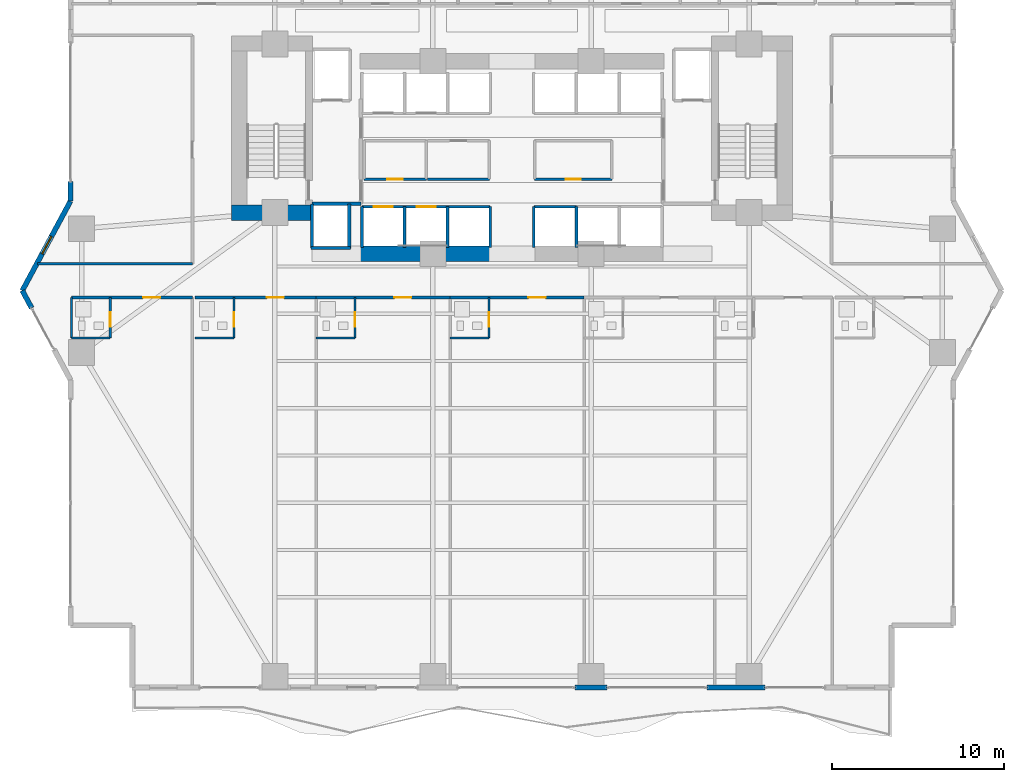
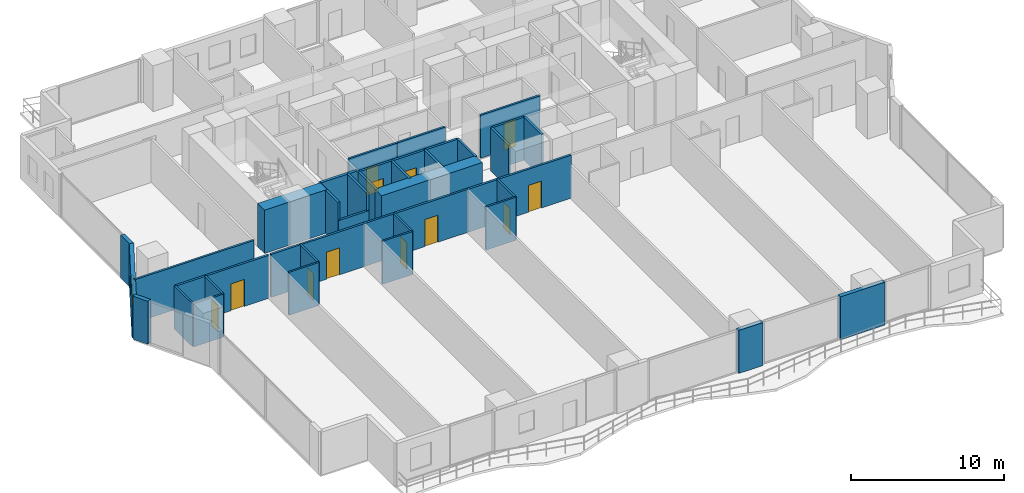
# One storey, part 19 of 28: 38 walls, 12 doors, 1 window, 13 openings.
"""IFC4 building model written with IfcOpenShell, lengths in metres."""

from ifc_helpers import new_model, si_unit, direction, frame, frame_2d, origin, place, context, subcontext, project, spatial, rectangle, extrude, material, layer, layer_set, type_object, element, fill, save


model = new_model("IFC4")

# Units and contexts
model_context = context("Model", 3, precision=1e-05, world=origin(), true_north=direction((0.0, 1.0)))
body_context = subcontext(model_context, "Body", "Model", "MODEL_VIEW")
ifc_project = project(units=[si_unit("LENGTHUNIT", "METRE"), si_unit("AREAUNIT", "SQUARE_METRE"), si_unit("VOLUMEUNIT", "CUBIC_METRE"), si_unit("PLANEANGLEUNIT", "RADIAN"), si_unit("MASSUNIT", "GRAM", prefix="KILO")], contexts=[model_context])

# Site, building, storey
site_placement = place(None, origin())
site = spatial("IfcSite", under=ifc_project, at=site_placement, CompositionType="ELEMENT")
building_placement = place(site_placement, origin())
building = spatial("IfcBuilding", under=site, at=building_placement, Name="Zuhayl Quay Hotel", CompositionType="ELEMENT")
storey_placement = place(building_placement, frame((0.0, 0.0, 49.5)))
storey = spatial("IfcBuildingStorey", under=building, at=storey_placement, Name="L11", CompositionType="ELEMENT", Elevation=49.5)

# Walls
ifc_material_1 = material(Name="Concrete C70/85", Category="concrete")
ifc_layer_1 = layer(ifc_material_1, 0.89990234375, Name="Concrete C70/85", Category="concrete")
ifc_layer_set_1 = layer_set([ifc_layer_1], Name="Concrete C70/85")
wall_type_1 = type_object("IfcWallType", Name="WL_CORE_900", PredefinedType="SHEAR", material=ifc_layer_set_1)
wall_1_placement = place(storey_placement, frame((-16.31005859375, 4.52001953125, 0.0), z_axis=(0.0, 0.0, 1.0), x_axis=(1.0, 0.0, 0.0)))
element("IfcWall", 1, at=wall_1_placement, inside=storey, type_object=wall_type_1, Name="L11 Core Shear Wall CW_SW", PredefinedType="SHEAR", context=body_context, shape_type="SweptSolid", body=[
    extrude(rectangle(XDim=4.7099609375, YDim=0.89990234375, at=frame_2d((2.35498046875, 0.0))), origin(), (0.0, 0.0, 1.0), 3.4599609375),
])
wall_2_placement = place(storey_placement, frame((-8.85009765625, 2.14990234375, 0.0), z_axis=(0.0, 0.0, 1.0), x_axis=(1.0, 0.0, 0.0)))
element("IfcWall", 2, at=wall_2_placement, inside=storey, type_object=wall_type_1, Name="L11 Core Shear Wall CW_SC_W", PredefinedType="SHEAR", context=body_context, shape_type="SweptSolid", body=[
    extrude(rectangle(XDim=7.60009765625, YDim=0.89990234375, at=frame_2d((3.800048828125, 0.0))), origin(), (0.0, 0.0, 1.0), 3.429931640625),
])
ifc_material_2 = material(Name="Precast concrete C45/55", Category="concrete")
ifc_layer_2 = layer(ifc_material_2, 0.300048828125, Name="Precast concrete C45/55", Category="concrete")
ifc_layer_set_2 = layer_set([ifc_layer_2], Name="Precast concrete C45/55")
wall_type_2 = type_object("IfcWallType", Name="WL_EXT_300", PredefinedType="STANDARD", material=ifc_layer_set_2)
wall_3_placement = place(storey_placement, frame((-27.954833984375, -1.012451171875, 0.0), z_axis=(0.0, 0.0, 1.0), x_axis=(-0.474099823035, 0.880471099922, 0.0)))
element("IfcWall", 3, at=wall_3_placement, inside=storey, type_object=wall_type_2, Name="L11 Exterior Precast Wall ENV_L11_E03_EW2", PredefinedType="STANDARD", context=body_context, shape_type="SweptSolid", body=[
    extrude(rectangle(XDim=1.14990234375, YDim=0.300048828125, at=frame_2d((0.574951171875, 0.0))), origin(), (0.0, 0.0, 1.0), 3.429931640625),
])

# Wall, opening, window
wall_4_placement = place(storey_placement, frame((-28.5, 0.0, 0.0), z_axis=(0.0, 0.0, 1.0), x_axis=(0.474109683532, 0.880465790352, 0.0)))
wall_4 = element("IfcWall", 4, at=wall_4_placement, inside=storey, type_object=wall_type_2, Name="L11 Exterior Precast Wall ENV_L11_E04_EW1", PredefinedType="STANDARD", context=body_context, shape_type="SweptSolid", body=[
    extrude(rectangle(XDim=5.906005859375, YDim=0.300048828125, at=frame_2d((2.953125, 0.0))), origin(), (0.0, 0.0, 1.0), 3.429931640625),
])
opening_1_placement = place(wall_4_placement, frame((2.43212890625, 0.0, 0.949951171875)))
opening_1 = element("IfcOpeningElement", 5, at=opening_1_placement, cuts=wall_4, Name="Opening W01N", PredefinedType="OPENING", context=body_context, shape_type="SweptSolid", body=[
    extrude(rectangle(XDim=1.14990234375, YDim=1.550048828125, at=frame_2d((0.574951171875, 0.77490234375))), frame((0.0, 0.159912109375, 0.0), z_axis=(0.0, -1.0, 0.0), x_axis=(1.0, 0.0, 0.0)), (0.0, 0.0, 1.0), 0.320068359375),
])
ifc_material_3 = material(Name="Dark Ceramic-Fritted Solar Glass", Category="glass")
window_type = type_object("IfcWindowType", Name="WN_NOTCH_1350", PartitioningType="SINGLE_PANEL", PredefinedType="WINDOW", material=ifc_material_3)
window_placement = place(opening_1_placement, origin())
window = element("IfcWindow", 6, at=window_placement, inside=storey, type_object=window_type, Name="L11 Operable Facade Window 1-1", OverallHeight=1.550048828125, OverallWidth=1.14990234375, PartitioningType="SINGLE_PANEL", PredefinedType="WINDOW", context=body_context, shape_type="SweptSolid", body=[
    extrude(rectangle(XDim=1.14990234375, YDim=1.550048828125, at=frame_2d((0.574951171875, 0.77490234375))), frame((0.0, 0.030029296875, 0.0), z_axis=(0.0, -1.0, 0.0), x_axis=(1.0, 0.0, 0.0)), (0.0, 0.0, 1.0), 0.06005859375),
])
fill(opening_1, window)

# Walls
wall_5_placement = place(storey_placement, frame((-25.699951171875, 5.199951171875, 0.0), z_axis=(0.0, 0.0, 1.0), x_axis=(0.0, 1.0, 0.0)))
element("IfcWall", 7, at=wall_5_placement, inside=storey, type_object=wall_type_2, Name="L11 Exterior Precast Wall ENV_L11_E05_EW1", PredefinedType="STANDARD", context=body_context, shape_type="SweptSolid", body=[
    extrude(rectangle(XDim=1.150146484375, YDim=0.300048828125, at=frame_2d((0.5751953125, 0.0))), origin(), (0.0, 0.0, 1.0), 3.429931640625),
])
wall_6_placement = place(storey_placement, frame((14.719970703125, -23.10009765625, 0.0), z_axis=(0.0, 0.0, 1.0), x_axis=(-1.0, 0.0, 0.0)))
element("IfcWall", 8, at=wall_6_placement, inside=storey, type_object=wall_type_2, Name="L11 Exterior Precast Wall ENV_L11_S_EW2", PredefinedType="STANDARD", context=body_context, shape_type="SweptSolid", body=[
    extrude(rectangle(XDim=3.369873046875, YDim=0.300048828125, at=frame_2d((1.68505859375, 0.0))), origin(), (0.0, 0.0, 1.0), 3.429931640625),
])
wall_7_placement = place(storey_placement, frame((5.52001953125, -23.10009765625, 0.0), z_axis=(0.0, 0.0, 1.0), x_axis=(-1.0, 0.0, 0.0)))
element("IfcWall", 9, at=wall_7_placement, inside=storey, type_object=wall_type_2, Name="L11 Exterior Precast Wall ENV_L11_S_EW3", PredefinedType="STANDARD", context=body_context, shape_type="SweptSolid", body=[
    extrude(rectangle(XDim=1.840087890625, YDim=0.300048828125, at=frame_2d((0.919921875, 0.0))), origin(), (0.0, 0.0, 1.0), 3.429931640625),
])

# Wall, opening, door
ifc_material_4 = material(Name="Acoustic Gypsum Partition STC-58")
ifc_layer_3 = layer(ifc_material_4, 0.14990234375, Name="Acoustic Gypsum Partition STC-58")
ifc_layer_set_3 = layer_set([ifc_layer_3], Name="Acoustic Gypsum Partition STC-58")
wall_type_3 = type_object("IfcWallType", Name="WL_PART_150", PredefinedType="PARTITIONING", material=ifc_layer_set_3)
wall_8_placement = place(storey_placement, frame((-8.610107421875, 6.47998046875, 0.0), z_axis=(0.0, 0.0, 1.0), x_axis=(1.0, 0.0, 0.0)))
wall_8 = element("IfcWall", 10, at=wall_8_placement, inside=storey, type_object=wall_type_3, Name="L11 Partition IW_L11_CORE_SW_S", PredefinedType="PARTITIONING", context=body_context, shape_type="SweptSolid", body=[
    extrude(rectangle(XDim=3.6201171875, YDim=0.14990234375, at=frame_2d((1.81005859375, 0.0))), origin(), (0.0, 0.0, 1.0), 3.429931640625),
])
opening_2_placement = place(wall_8_placement, frame((1.360107421875, 0.0, 0.0)))
opening_2 = element("IfcOpeningElement", 11, at=opening_2_placement, cuts=wall_8, Name="Opening D06", PredefinedType="OPENING", context=body_context, shape_type="SweptSolid", body=[
    extrude(rectangle(XDim=0.89990234375, YDim=2.14990234375, at=frame_2d((0.449951171875, 1.074951171875))), frame((0.0, 0.0849609375, 0.0), z_axis=(0.0, -1.0, 0.0), x_axis=(1.0, 0.0, 0.0)), (0.0, 0.0, 1.0), 0.169921875),
])
ifc_material_5 = material(Name="Steel ASTM A992 Grade 50", Category="steel")
door_type_1 = type_object("IfcDoorType", Name="DR_INT_900", OperationType="NOTDEFINED", PredefinedType="DOOR", material=ifc_material_5)
door_1_placement = place(opening_2_placement, origin())
door_1 = element("IfcDoor", 12, at=door_1_placement, inside=storey, type_object=door_type_1, Name="L11 Floor Switchgear Closet Door", OperationType="SINGLE_SWING_RIGHT", OverallHeight=2.14990234375, OverallWidth=0.89990234375, PredefinedType="DOOR", context=body_context, shape_type="SweptSolid", body=[
    extrude(rectangle(XDim=0.89990234375, YDim=2.14990234375, at=frame_2d((0.449951171875, 1.074951171875))), frame((0.0, 0.02490234375, 0.0), z_axis=(0.0, -1.0, 0.0), x_axis=(1.0, 0.0, 0.0)), (0.0, 0.0, 1.0), 0.050048828125),
])
fill(opening_2, door_1)

wall_9_placement = place(storey_placement, frame((1.320068359375, 6.47998046875, 0.0), z_axis=(0.0, 0.0, 1.0), x_axis=(1.0, 0.0, 0.0)))
wall_9 = element("IfcWall", 13, at=wall_9_placement, inside=storey, type_object=wall_type_3, Name="L11 Partition IW_L11_CORE_PN_S", PredefinedType="PARTITIONING", context=body_context, shape_type="SweptSolid", body=[
    extrude(rectangle(XDim=4.489990234375, YDim=0.14990234375, at=frame_2d((2.2451171875, 0.0))), origin(), (0.0, 0.0, 1.0), 3.429931640625),
])
opening_3_placement = place(wall_9_placement, frame((1.794921875, 0.0, 0.0)))
opening_3 = element("IfcOpeningElement", 14, at=opening_3_placement, cuts=wall_9, Name="Opening D06", PredefinedType="OPENING", context=body_context, shape_type="SweptSolid", body=[
    extrude(rectangle(XDim=0.89990234375, YDim=2.14990234375, at=frame_2d((0.449951171875, 1.074951171875))), frame((0.0, 0.0849609375, 0.0), z_axis=(0.0, -1.0, 0.0), x_axis=(1.0, 0.0, 0.0)), (0.0, 0.0, 1.0), 0.169921875),
])
door_2_placement = place(opening_3_placement, origin())
door_2 = element("IfcDoor", 15, at=door_2_placement, inside=storey, type_object=door_type_1, Name="L11 Core Ice and Pantry Room Door", OperationType="SINGLE_SWING_RIGHT", OverallHeight=2.14990234375, OverallWidth=0.89990234375, PredefinedType="DOOR", context=body_context, shape_type="SweptSolid", body=[
    extrude(rectangle(XDim=0.89990234375, YDim=2.14990234375, at=frame_2d((0.449951171875, 1.074951171875))), frame((0.0, 0.02490234375, 0.0), z_axis=(0.0, -1.0, 0.0), x_axis=(1.0, 0.0, 0.0)), (0.0, 0.0, 1.0), 0.050048828125),
])
fill(opening_3, door_2)

# Walls
wall_10_placement = place(storey_placement, frame((-4.929931640625, 6.47998046875, 0.0), z_axis=(0.0, 0.0, 1.0), x_axis=(1.0, 0.0, 0.0)))
element("IfcWall", 16, at=wall_10_placement, inside=storey, type_object=wall_type_3, Name="L11 Partition IW_L11_CORE_BM_S", PredefinedType="PARTITIONING", context=body_context, shape_type="SweptSolid", body=[
    extrude(rectangle(XDim=3.60986328125, YDim=0.14990234375, at=frame_2d((1.804931640625, 0.0))), origin(), (0.0, 0.0, 1.0), 3.429931640625),
])
wall_11_placement = place(storey_placement, frame((-27.60546875, 1.550048828125, 0.0), z_axis=(0.0, 0.0, 1.0), x_axis=(1.0, 0.0, 0.0)))
element("IfcWall", 17, at=wall_11_placement, inside=storey, type_object=wall_type_3, Name="L11 Partition IW_L11_WPROW_1_S", PredefinedType="PARTITIONING", context=body_context, shape_type="SweptSolid", body=[
    extrude(rectangle(XDim=9.00537109375, YDim=0.14990234375, at=frame_2d((4.502685546875, 0.0))), origin(), (0.0, 0.0, 1.0), 3.429931640625),
])

# Wall, opening, door
ifc_layer_4 = layer(ifc_material_4, 0.159912109375, Name="Acoustic Gypsum Partition STC-58")
ifc_layer_set_4 = layer_set([ifc_layer_4], Name="Acoustic Gypsum Partition STC-58")
wall_type_4 = type_object("IfcWallType", Name="WL_PART_CORR_160", PredefinedType="PARTITIONING", material=ifc_layer_set_4)
wall_12_placement = place(storey_placement, frame((-25.639892578125, -0.39990234375, 0.0), z_axis=(0.0, 0.0, 1.0), x_axis=(1.0, 0.0, 0.0)))
wall_12 = element("IfcWall", 18, at=wall_12_placement, inside=storey, type_object=wall_type_4, Name="L11 Partition IW_L11_SU01A_COR", PredefinedType="PARTITIONING", context=body_context, shape_type="SweptSolid", body=[
    extrude(rectangle(XDim=7.039794921875, YDim=0.159912109375, at=frame_2d((3.52001953125, 0.0))), origin(), (0.0, 0.0, 1.0), 3.429931640625),
])
opening_4_placement = place(wall_12_placement, frame((4.169921875, 0.0, 0.0)))
opening_4 = element("IfcOpeningElement", 19, at=opening_4_placement, cuts=wall_12, Name="Opening D03L", PredefinedType="OPENING", context=body_context, shape_type="SweptSolid", body=[
    extrude(rectangle(XDim=1.0, YDim=2.14990234375, at=frame_2d((0.5, 1.074951171875))), frame((0.0, 0.08984375, 0.0), z_axis=(0.0, -1.0, 0.0), x_axis=(1.0, 0.0, 0.0)), (0.0, 0.0, 1.0), 0.179931640625),
])
ifc_material_6 = material(Name="Solid Walnut Acoustic Fire Door")
door_type_2 = type_object("IfcDoorType", Name="DR_SUITE_1000", OperationType="NOTDEFINED", PredefinedType="DOOR", material=ifc_material_6)
door_3_placement = place(opening_4_placement, origin())
door_3 = element("IfcDoor", 20, at=door_3_placement, inside=storey, type_object=door_type_2, Name="L11 City-View Junior Suite L11-01A Entrance Door", OperationType="SINGLE_SWING_LEFT", OverallHeight=2.14990234375, OverallWidth=1.0, PredefinedType="DOOR", context=body_context, shape_type="SweptSolid", body=[
    extrude(rectangle(XDim=1.0, YDim=2.14990234375, at=frame_2d((0.5, 1.074951171875))), frame((0.0, 0.02490234375, 0.0), z_axis=(0.0, -1.0, 0.0), x_axis=(1.0, 0.0, 0.0)), (0.0, 0.0, 1.0), 0.050048828125),
])
fill(opening_4, door_3)

wall_13_placement = place(storey_placement, frame((-18.43994140625, -0.39990234375, 0.0), z_axis=(0.0, 0.0, 1.0), x_axis=(1.0, 0.0, 0.0)))
wall_13 = element("IfcWall", 21, at=wall_13_placement, inside=storey, type_object=wall_type_4, Name="L11 Partition IW_L11_SU01B_COR", PredefinedType="PARTITIONING", context=body_context, shape_type="SweptSolid", body=[
    extrude(rectangle(XDim=7.0400390625, YDim=0.159912109375, at=frame_2d((3.52001953125, 0.0))), origin(), (0.0, 0.0, 1.0), 3.429931640625),
])
opening_5_placement = place(wall_13_placement, frame((4.169921875, 0.0, 0.0)))
opening_5 = element("IfcOpeningElement", 22, at=opening_5_placement, cuts=wall_13, Name="Opening D03L", PredefinedType="OPENING", context=body_context, shape_type="SweptSolid", body=[
    extrude(rectangle(XDim=1.0, YDim=2.14990234375, at=frame_2d((0.5, 1.074951171875))), frame((0.0, 0.08984375, 0.0), z_axis=(0.0, -1.0, 0.0), x_axis=(1.0, 0.0, 0.0)), (0.0, 0.0, 1.0), 0.179931640625),
])
door_4_placement = place(opening_5_placement, origin())
door_4 = element("IfcDoor", 23, at=door_4_placement, inside=storey, type_object=door_type_2, Name="L11 City-View Junior Suite L11-01B Entrance Door", OperationType="SINGLE_SWING_LEFT", OverallHeight=2.14990234375, OverallWidth=1.0, PredefinedType="DOOR", context=body_context, shape_type="SweptSolid", body=[
    extrude(rectangle(XDim=1.0, YDim=2.14990234375, at=frame_2d((0.5, 1.074951171875))), frame((0.0, 0.02490234375, 0.0), z_axis=(0.0, -1.0, 0.0), x_axis=(1.0, 0.0, 0.0)), (0.0, 0.0, 1.0), 0.050048828125),
])
fill(opening_5, door_4)

wall_14_placement = place(storey_placement, frame((-11.39990234375, -0.39990234375, 0.0), z_axis=(0.0, 0.0, 1.0), x_axis=(1.0, 0.0, 0.0)))
wall_14 = element("IfcWall", 24, at=wall_14_placement, inside=storey, type_object=wall_type_4, Name="L11 Partition IW_L11_SU02_COR", PredefinedType="PARTITIONING", context=body_context, shape_type="SweptSolid", body=[
    extrude(rectangle(XDim=7.7998046875, YDim=0.159912109375, at=frame_2d((3.89990234375, 0.0))), origin(), (0.0, 0.0, 1.0), 3.429931640625),
])
opening_6_placement = place(wall_14_placement, frame((4.550048828125, 0.0, 0.0)))
opening_6 = element("IfcOpeningElement", 25, at=opening_6_placement, cuts=wall_14, Name="Opening D03L", PredefinedType="OPENING", context=body_context, shape_type="SweptSolid", body=[
    extrude(rectangle(XDim=1.0, YDim=2.14990234375, at=frame_2d((0.5, 1.074951171875))), frame((0.0, 0.08984375, 0.0), z_axis=(0.0, -1.0, 0.0), x_axis=(1.0, 0.0, 0.0)), (0.0, 0.0, 1.0), 0.179931640625),
])
door_5_placement = place(opening_6_placement, origin())
door_5 = element("IfcDoor", 26, at=door_5_placement, inside=storey, type_object=door_type_2, Name="L11 City-View Junior Suite L11-02 Entrance Door", OperationType="SINGLE_SWING_LEFT", OverallHeight=2.14990234375, OverallWidth=1.0, PredefinedType="DOOR", context=body_context, shape_type="SweptSolid", body=[
    extrude(rectangle(XDim=1.0, YDim=2.14990234375, at=frame_2d((0.5, 1.074951171875))), frame((0.0, 0.02490234375, 0.0), z_axis=(0.0, -1.0, 0.0), x_axis=(1.0, 0.0, 0.0)), (0.0, 0.0, 1.0), 0.050048828125),
])
fill(opening_6, door_5)

wall_15_placement = place(storey_placement, frame((-3.60009765625, -0.39990234375, 0.0), z_axis=(0.0, 0.0, 1.0), x_axis=(1.0, 0.0, 0.0)))
wall_15 = element("IfcWall", 27, at=wall_15_placement, inside=storey, type_object=wall_type_4, Name="L11 Partition IW_L11_SU03_COR", PredefinedType="PARTITIONING", context=body_context, shape_type="SweptSolid", body=[
    extrude(rectangle(XDim=7.800048828125, YDim=0.159912109375, at=frame_2d((3.89990234375, 0.0))), origin(), (0.0, 0.0, 1.0), 3.429931640625),
])
opening_7_placement = place(wall_15_placement, frame((4.550048828125, 0.0, 0.0)))
opening_7 = element("IfcOpeningElement", 28, at=opening_7_placement, cuts=wall_15, Name="Opening D03L", PredefinedType="OPENING", context=body_context, shape_type="SweptSolid", body=[
    extrude(rectangle(XDim=1.0, YDim=2.14990234375, at=frame_2d((0.5, 1.074951171875))), frame((0.0, 0.08984375, 0.0), z_axis=(0.0, -1.0, 0.0), x_axis=(1.0, 0.0, 0.0)), (0.0, 0.0, 1.0), 0.179931640625),
])
door_6_placement = place(opening_7_placement, origin())
door_6 = element("IfcDoor", 29, at=door_6_placement, inside=storey, type_object=door_type_2, Name="L11 City-View Junior Suite L11-03 Entrance Door", OperationType="SINGLE_SWING_LEFT", OverallHeight=2.14990234375, OverallWidth=1.0, PredefinedType="DOOR", context=body_context, shape_type="SweptSolid", body=[
    extrude(rectangle(XDim=1.0, YDim=2.14990234375, at=frame_2d((0.5, 1.074951171875))), frame((0.0, 0.02490234375, 0.0), z_axis=(0.0, -1.0, 0.0), x_axis=(1.0, 0.0, 0.0)), (0.0, 0.0, 1.0), 0.050048828125),
])
fill(opening_7, door_6)

ifc_material_7 = material(Name="Moisture-Resistant Sanitarychase Gypsum")
ifc_layer_5 = layer(ifc_material_7, 0.135009765625, Name="Moisture-Resistant Sanitarychase Gypsum")
ifc_layer_set_5 = layer_set([ifc_layer_5], Name="Moisture-Resistant Sanitarychase Gypsum")
wall_type_5 = type_object("IfcWallType", Name="WL_PART_PLUMB_150", PredefinedType="PLUMBINGWALL", material=ifc_layer_set_5)
wall_16_placement = place(storey_placement, frame((-23.3798828125, -2.760009765625, 0.0), z_axis=(0.0, 0.0, 1.0), x_axis=(0.0, 1.0, 0.0)))
wall_16 = element("IfcWall", 30, at=wall_16_placement, inside=storey, type_object=wall_type_5, Name="L11 Partition IW_L11_SU01A_BE", PredefinedType="PLUMBINGWALL", context=body_context, shape_type="SweptSolid", body=[
    extrude(rectangle(XDim=2.360107421875, YDim=0.135009765625, at=frame_2d((1.18017578125, 0.0))), origin(), (0.0, 0.0, 1.0), 3.429931640625),
])
opening_8_placement = place(wall_16_placement, frame((0.64990234375, 0.0, 0.0)))
opening_8 = element("IfcOpeningElement", 31, at=opening_8_placement, cuts=wall_16, Name="Opening D04", PredefinedType="OPENING", context=body_context, shape_type="SweptSolid", body=[
    extrude(rectangle(XDim=0.85009765625, YDim=2.10009765625, at=frame_2d((0.425048828125, 1.050048828125))), frame((0.0, 0.077392578125, 0.0), z_axis=(0.0, -1.0, 0.0), x_axis=(1.0, 0.0, 0.0)), (0.0, 0.0, 1.0), 0.155029296875),
])
ifc_material_8 = material(Name="Moisture-Resistant Walnut Veneer")
door_type_3 = type_object("IfcDoorType", Name="DR_BATH_850", OperationType="NOTDEFINED", PredefinedType="DOOR", material=ifc_material_8)
door_7_placement = place(opening_8_placement, origin())
door_7 = element("IfcDoor", 32, at=door_7_placement, inside=storey, type_object=door_type_3, Name="L11 City-View Junior Suite L11-01A En-Suite Door", OperationType="SINGLE_SWING_RIGHT", OverallHeight=2.10009765625, OverallWidth=0.85009765625, PredefinedType="DOOR", context=body_context, shape_type="SweptSolid", body=[
    extrude(rectangle(XDim=0.85009765625, YDim=2.10009765625, at=frame_2d((0.425048828125, 1.050048828125))), frame((0.0, 0.02490234375, 0.0), z_axis=(0.0, -1.0, 0.0), x_axis=(1.0, 0.0, 0.0)), (0.0, 0.0, 1.0), 0.050048828125),
])
fill(opening_8, door_7)

wall_17_placement = place(storey_placement, frame((-16.179931640625, -2.760009765625, 0.0), z_axis=(0.0, 0.0, 1.0), x_axis=(0.0, 1.0, 0.0)))
wall_17 = element("IfcWall", 33, at=wall_17_placement, inside=storey, type_object=wall_type_5, Name="L11 Partition IW_L11_SU01B_BE", PredefinedType="PLUMBINGWALL", context=body_context, shape_type="SweptSolid", body=[
    extrude(rectangle(XDim=2.360107421875, YDim=0.135009765625, at=frame_2d((1.18017578125, 0.0))), origin(), (0.0, 0.0, 1.0), 3.429931640625),
])
opening_9_placement = place(wall_17_placement, frame((0.64990234375, 0.0, 0.0)))
opening_9 = element("IfcOpeningElement", 34, at=opening_9_placement, cuts=wall_17, Name="Opening D04", PredefinedType="OPENING", context=body_context, shape_type="SweptSolid", body=[
    extrude(rectangle(XDim=0.85009765625, YDim=2.10009765625, at=frame_2d((0.425048828125, 1.050048828125))), frame((0.0, 0.077392578125, 0.0), z_axis=(0.0, -1.0, 0.0), x_axis=(1.0, 0.0, 0.0)), (0.0, 0.0, 1.0), 0.155029296875),
])
door_8_placement = place(opening_9_placement, origin())
door_8 = element("IfcDoor", 35, at=door_8_placement, inside=storey, type_object=door_type_3, Name="L11 City-View Junior Suite L11-01B En-Suite Door", OperationType="SINGLE_SWING_RIGHT", OverallHeight=2.10009765625, OverallWidth=0.85009765625, PredefinedType="DOOR", context=body_context, shape_type="SweptSolid", body=[
    extrude(rectangle(XDim=0.85009765625, YDim=2.10009765625, at=frame_2d((0.425048828125, 1.050048828125))), frame((0.0, 0.02490234375, 0.0), z_axis=(0.0, -1.0, 0.0), x_axis=(1.0, 0.0, 0.0)), (0.0, 0.0, 1.0), 0.050048828125),
])
fill(opening_9, door_8)

wall_18_placement = place(storey_placement, frame((-9.139892578125, -2.760009765625, 0.0), z_axis=(0.0, 0.0, 1.0), x_axis=(0.0, 1.0, 0.0)))
wall_18 = element("IfcWall", 36, at=wall_18_placement, inside=storey, type_object=wall_type_5, Name="L11 Partition IW_L11_SU02_BE", PredefinedType="PLUMBINGWALL", context=body_context, shape_type="SweptSolid", body=[
    extrude(rectangle(XDim=2.360107421875, YDim=0.135009765625, at=frame_2d((1.18017578125, 0.0))), origin(), (0.0, 0.0, 1.0), 3.429931640625),
])
opening_10_placement = place(wall_18_placement, frame((0.64990234375, 0.0, 0.0)))
opening_10 = element("IfcOpeningElement", 37, at=opening_10_placement, cuts=wall_18, Name="Opening D04", PredefinedType="OPENING", context=body_context, shape_type="SweptSolid", body=[
    extrude(rectangle(XDim=0.85009765625, YDim=2.10009765625, at=frame_2d((0.425048828125, 1.050048828125))), frame((0.0, 0.077392578125, 0.0), z_axis=(0.0, -1.0, 0.0), x_axis=(1.0, 0.0, 0.0)), (0.0, 0.0, 1.0), 0.155029296875),
])
door_9_placement = place(opening_10_placement, origin())
door_9 = element("IfcDoor", 38, at=door_9_placement, inside=storey, type_object=door_type_3, Name="L11 City-View Junior Suite L11-02 En-Suite Door", OperationType="SINGLE_SWING_RIGHT", OverallHeight=2.10009765625, OverallWidth=0.85009765625, PredefinedType="DOOR", context=body_context, shape_type="SweptSolid", body=[
    extrude(rectangle(XDim=0.85009765625, YDim=2.10009765625, at=frame_2d((0.425048828125, 1.050048828125))), frame((0.0, 0.02490234375, 0.0), z_axis=(0.0, -1.0, 0.0), x_axis=(1.0, 0.0, 0.0)), (0.0, 0.0, 1.0), 0.050048828125),
])
fill(opening_10, door_9)

wall_19_placement = place(storey_placement, frame((-1.340087890625, -2.760009765625, 0.0), z_axis=(0.0, 0.0, 1.0), x_axis=(0.0, 1.0, 0.0)))
wall_19 = element("IfcWall", 39, at=wall_19_placement, inside=storey, type_object=wall_type_5, Name="L11 Partition IW_L11_SU03_BE", PredefinedType="PLUMBINGWALL", context=body_context, shape_type="SweptSolid", body=[
    extrude(rectangle(XDim=2.360107421875, YDim=0.135009765625, at=frame_2d((1.18017578125, 0.0))), origin(), (0.0, 0.0, 1.0), 3.429931640625),
])
opening_11_placement = place(wall_19_placement, frame((0.64990234375, 0.0, 0.0)))
opening_11 = element("IfcOpeningElement", 40, at=opening_11_placement, cuts=wall_19, Name="Opening D04", PredefinedType="OPENING", context=body_context, shape_type="SweptSolid", body=[
    extrude(rectangle(XDim=0.85009765625, YDim=2.10009765625, at=frame_2d((0.425048828125, 1.050048828125))), frame((0.0, 0.077392578125, 0.0), z_axis=(0.0, -1.0, 0.0), x_axis=(1.0, 0.0, 0.0)), (0.0, 0.0, 1.0), 0.155029296875),
])
door_10_placement = place(opening_11_placement, origin())
door_10 = element("IfcDoor", 41, at=door_10_placement, inside=storey, type_object=door_type_3, Name="L11 City-View Junior Suite L11-03 En-Suite Door", OperationType="SINGLE_SWING_RIGHT", OverallHeight=2.10009765625, OverallWidth=0.85009765625, PredefinedType="DOOR", context=body_context, shape_type="SweptSolid", body=[
    extrude(rectangle(XDim=0.85009765625, YDim=2.10009765625, at=frame_2d((0.425048828125, 1.050048828125))), frame((0.0, 0.02490234375, 0.0), z_axis=(0.0, -1.0, 0.0), x_axis=(1.0, 0.0, 0.0)), (0.0, 0.0, 1.0), 0.050048828125),
])
fill(opening_11, door_10)

# Walls
wall_20_placement = place(storey_placement, frame((-25.639892578125, -2.760009765625, 0.0), z_axis=(0.0, 0.0, 1.0), x_axis=(1.0, 0.0, 0.0)))
element("IfcWall", 42, at=wall_20_placement, inside=storey, type_object=wall_type_5, Name="L11 Partition IW_L11_SU01A_BS", PredefinedType="PLUMBINGWALL", context=body_context, shape_type="SweptSolid", body=[
    extrude(rectangle(XDim=2.260009765625, YDim=0.135009765625, at=frame_2d((1.1298828125, 0.0))), origin(), (0.0, 0.0, 1.0), 3.429931640625),
])
wall_21_placement = place(storey_placement, frame((-25.639892578125, -2.760009765625, 0.0), z_axis=(0.0, 0.0, 1.0), x_axis=(0.0, 1.0, 0.0)))
element("IfcWall", 43, at=wall_21_placement, inside=storey, type_object=wall_type_5, Name="L11 Partition IW_L11_SU01A_BW", PredefinedType="PLUMBINGWALL", context=body_context, shape_type="SweptSolid", body=[
    extrude(rectangle(XDim=2.360107421875, YDim=0.135009765625, at=frame_2d((1.18017578125, 0.0))), origin(), (0.0, 0.0, 1.0), 3.429931640625),
])
for number, where, z_axis, x_axis, name in (
    (44, (-18.43994140625, -2.760009765625, 0.0), (0.0, 0.0, 1.0), (1.0, 0.0, 0.0), "L11 Partition IW_L11_SU01B_BS"),
    (45, (-11.39990234375, -2.760009765625, 0.0), (0.0, 0.0, 1.0), (1.0, 0.0, 0.0), "L11 Partition IW_L11_SU02_BS"),
    (46, (-3.60009765625, -2.760009765625, 0.0), (0.0, 0.0, 1.0), (1.0, 0.0, 0.0), "L11 Partition IW_L11_SU03_BS"),
):
    element("IfcWall", number, at=place(storey_placement, frame(where, z_axis=z_axis, x_axis=x_axis)), inside=storey, type_object=wall_type_5, Name=name, PredefinedType="PLUMBINGWALL", context=body_context, shape_type="SweptSolid", body=[
        extrude(rectangle(XDim=2.260009765625, YDim=0.135009765625, at=frame_2d((1.1298828125, 0.0))), origin(), (0.0, 0.0, 1.0), 3.429931640625),
    ])

# Wall, opening, door
ifc_material_9 = material(Name="Gypsum Fireboard Assembly EI-90")
ifc_layer_6 = layer(ifc_material_9, 0.1650390625, Name="Gypsum Fireboard Assembly EI-90")
ifc_layer_set_6 = layer_set([ifc_layer_6], Name="Gypsum Fireboard Assembly EI-90")
wall_type_6 = type_object("IfcWallType", Name="WL_PART_SHAFT_160", PredefinedType="PARTITIONING", material=ifc_layer_set_6)
wall_22_placement = place(storey_placement, frame((-8.72998046875, 4.8798828125, 0.0), z_axis=(0.0, 0.0, 1.0), x_axis=(1.0, 0.0, 0.0)))
wall_22 = element("IfcWall", 47, at=wall_22_placement, inside=storey, type_object=wall_type_6, Name="L11 Partition IW_L11_SH_LP1_F", PredefinedType="PARTITIONING", context=body_context, shape_type="SweptSolid", body=[
    extrude(rectangle(XDim=2.47998046875, YDim=0.1650390625, at=frame_2d((1.239990234375, 0.0))), origin(), (0.0, 0.0, 1.0), 3.429931640625),
])
opening_12_placement = place(wall_22_placement, frame((0.68994140625, 0.0, 0.0)))
opening_12 = element("IfcOpeningElement", 48, at=opening_12_placement, cuts=wall_22, Name="Opening LD1", PredefinedType="OPENING", context=body_context, shape_type="SweptSolid", body=[
    extrude(rectangle(XDim=1.10009765625, YDim=2.25, at=frame_2d((0.550048828125, 1.125))), frame((0.0, 0.092529296875, 0.0), z_axis=(0.0, -1.0, 0.0), x_axis=(1.0, 0.0, 0.0)), (0.0, 0.0, 1.0), 0.18505859375),
])
ifc_material_10 = material(Name="Brushed Stainless Steel", Category="steel")
door_type_4 = type_object("IfcDoorType", Name="DR_LIFT_PASS_1100", OperationType="SLIDING_TO_LEFT", PredefinedType="DOOR", material=ifc_material_10)
door_11_placement = place(opening_12_placement, origin())
door_11 = element("IfcDoor", 49, at=door_11_placement, inside=storey, type_object=door_type_4, Name="L11 Lift LP1 Sliding Landing Door", OperationType="SLIDING_TO_LEFT", OverallHeight=2.25, OverallWidth=1.10009765625, PredefinedType="DOOR", context=body_context, shape_type="SweptSolid", body=[
    extrude(rectangle(XDim=1.10009765625, YDim=2.25, at=frame_2d((0.550048828125, 1.125))), frame((0.0, 0.02490234375, 0.0), z_axis=(0.0, -1.0, 0.0), x_axis=(1.0, 0.0, 0.0)), (0.0, 0.0, 1.0), 0.050048828125),
])
fill(opening_12, door_11)

wall_23_placement = place(storey_placement, frame((-6.25, 4.8798828125, 0.0), z_axis=(0.0, 0.0, 1.0), x_axis=(1.0, 0.0, 0.0)))
wall_23 = element("IfcWall", 50, at=wall_23_placement, inside=storey, type_object=wall_type_6, Name="L11 Partition IW_L11_SH_LP2_F", PredefinedType="PARTITIONING", context=body_context, shape_type="SweptSolid", body=[
    extrude(rectangle(XDim=2.5, YDim=0.1650390625, at=frame_2d((1.25, 0.0))), origin(), (0.0, 0.0, 1.0), 3.429931640625),
])
opening_13_placement = place(wall_23_placement, frame((0.699951171875, 0.0, 0.0)))
opening_13 = element("IfcOpeningElement", 51, at=opening_13_placement, cuts=wall_23, Name="Opening LD1", PredefinedType="OPENING", context=body_context, shape_type="SweptSolid", body=[
    extrude(rectangle(XDim=1.10009765625, YDim=2.25, at=frame_2d((0.550048828125, 1.125))), frame((0.0, 0.092529296875, 0.0), z_axis=(0.0, -1.0, 0.0), x_axis=(1.0, 0.0, 0.0)), (0.0, 0.0, 1.0), 0.18505859375),
])
door_12_placement = place(opening_13_placement, origin())
door_12 = element("IfcDoor", 52, at=door_12_placement, inside=storey, type_object=door_type_4, Name="L11 Lift LP2 Sliding Landing Door", OperationType="SLIDING_TO_LEFT", OverallHeight=2.25, OverallWidth=1.10009765625, PredefinedType="DOOR", context=body_context, shape_type="SweptSolid", body=[
    extrude(rectangle(XDim=1.10009765625, YDim=2.25, at=frame_2d((0.550048828125, 1.125))), frame((0.0, 0.02490234375, 0.0), z_axis=(0.0, -1.0, 0.0), x_axis=(1.0, 0.0, 0.0)), (0.0, 0.0, 1.0), 0.050048828125),
])
fill(opening_13, door_12)

# Walls
for number, where, z_axis, x_axis, name in (
    (53, (-8.72998046875, 2.52001953125, 0.0), (0.0, 0.0, 1.0), (0.0, 1.0, 0.0), "L11 Partition IW_L11_SH_LP1_W"),
    (54, (-6.25, 2.52001953125, 0.0), (0.0, 0.0, 1.0), (0.0, 1.0, 0.0), "L11 Partition IW_L11_SH_LP1_E"),
    (55, (-3.75, 2.52001953125, 0.0), (0.0, 0.0, 1.0), (0.0, 1.0, 0.0), "L11 Partition IW_L11_SH_LP2_E"),
):
    element("IfcWall", number, at=place(storey_placement, frame(where, z_axis=z_axis, x_axis=x_axis)), inside=storey, type_object=wall_type_6, Name=name, PredefinedType="PARTITIONING", context=body_context, shape_type="SweptSolid", body=[
        extrude(rectangle(XDim=2.35986328125, YDim=0.1650390625, at=frame_2d((1.179931640625, 0.0))), origin(), (0.0, 0.0, 1.0), 3.429931640625),
    ])
wall_24_placement = place(storey_placement, frame((-3.75, 4.8798828125, 0.0), z_axis=(0.0, 0.0, 1.0), x_axis=(1.0, 0.0, 0.0)))
element("IfcWall", 56, at=wall_24_placement, inside=storey, type_object=wall_type_6, Name="L11 Partition IW_L11_SH_MP1_F", PredefinedType="PARTITIONING", context=body_context, shape_type="SweptSolid", body=[
    extrude(rectangle(XDim=2.47998046875, YDim=0.1650390625, at=frame_2d((1.239990234375, 0.0))), origin(), (0.0, 0.0, 1.0), 3.429931640625),
])
wall_25_placement = place(storey_placement, frame((-1.27001953125, 2.52001953125, 0.0), z_axis=(0.0, 0.0, 1.0), x_axis=(0.0, 1.0, 0.0)))
element("IfcWall", 57, at=wall_25_placement, inside=storey, type_object=wall_type_6, Name="L11 Partition IW_L11_SH_MP1_E", PredefinedType="PARTITIONING", context=body_context, shape_type="SweptSolid", body=[
    extrude(rectangle(XDim=2.35986328125, YDim=0.1650390625, at=frame_2d((1.179931640625, 0.0))), origin(), (0.0, 0.0, 1.0), 3.429931640625),
])
wall_26_placement = place(storey_placement, frame((1.27001953125, 4.8798828125, 0.0), z_axis=(0.0, 0.0, 1.0), x_axis=(1.0, 0.0, 0.0)))
element("IfcWall", 58, at=wall_26_placement, inside=storey, type_object=wall_type_6, Name="L11 Partition IW_L11_SH_MP2_F", PredefinedType="PARTITIONING", context=body_context, shape_type="SweptSolid", body=[
    extrude(rectangle(XDim=2.47998046875, YDim=0.1650390625, at=frame_2d((1.239990234375, 0.0))), origin(), (0.0, 0.0, 1.0), 3.429931640625),
])
for number, where, z_axis, x_axis, name in (
    (59, (1.27001953125, 2.52001953125, 0.0), (0.0, 0.0, 1.0), (0.0, 1.0, 0.0), "L11 Partition IW_L11_SH_MP2_W"),
    (60, (3.75, 2.52001953125, 0.0), (0.0, 0.0, 1.0), (0.0, 1.0, 0.0), "L11 Partition IW_L11_SH_MP2_E"),
):
    element("IfcWall", number, at=place(storey_placement, frame(where, z_axis=z_axis, x_axis=x_axis)), inside=storey, type_object=wall_type_6, Name=name, PredefinedType="PARTITIONING", context=body_context, shape_type="SweptSolid", body=[
        extrude(rectangle(XDim=2.35986328125, YDim=0.1650390625, at=frame_2d((1.179931640625, 0.0))), origin(), (0.0, 0.0, 1.0), 3.429931640625),
    ])
wall_27_placement = place(storey_placement, frame((-11.6298828125, 2.469970703125, 0.0), z_axis=(0.0, 0.0, 1.0), x_axis=(0.0, 1.0, 0.0)))
element("IfcWall", 61, at=wall_27_placement, inside=storey, type_object=wall_type_6, Name="L11 Partition IW_L11_RISER_W", PredefinedType="PARTITIONING", context=body_context, shape_type="SweptSolid", body=[
    extrude(rectangle(XDim=2.580078125, YDim=0.1650390625, at=frame_2d((1.2900390625, 0.0))), origin(), (0.0, 0.0, 1.0), 3.429931640625),
])
wall_28_placement = place(storey_placement, frame((-11.7099609375, 2.469970703125, 0.0), z_axis=(0.0, 0.0, 1.0), x_axis=(1.0, 0.0, 0.0)))
element("IfcWall", 62, at=wall_28_placement, inside=storey, type_object=wall_type_6, Name="L11 Partition IW_L11_RISER_S", PredefinedType="PARTITIONING", context=body_context, shape_type="SweptSolid", body=[
    extrude(rectangle(XDim=2.31005859375, YDim=0.1650390625, at=frame_2d((1.155029296875, 0.0))), origin(), (0.0, 0.0, 1.0), 2.030029296875),
])
ifc_layer_7 = layer(ifc_material_9, 0.179931640625, Name="Gypsum Fireboard Assembly EI-90")
ifc_layer_set_7 = layer_set([ifc_layer_7], Name="Gypsum Fireboard Assembly EI-90")
wall_type_7 = type_object("IfcWallType", Name="WL_PART_SHAFT_180", PredefinedType="PARTITIONING", material=ifc_layer_set_7)
wall_29_placement = place(storey_placement, frame((-9.469970703125, 2.449951171875, 0.0), z_axis=(0.0, 0.0, 1.0), x_axis=(0.0, 1.0, 0.0)))
element("IfcWall", 63, at=wall_29_placement, inside=storey, type_object=wall_type_7, Name="L11 Partition IW_L11_RISER_E", PredefinedType="PARTITIONING", context=body_context, shape_type="SweptSolid", body=[
    extrude(rectangle(XDim=2.60009765625, YDim=0.179931640625, at=frame_2d((1.300048828125, 0.0))), origin(), (0.0, 0.0, 1.0), 3.429931640625),
])
ifc_material_11 = material(Name="Gypsum Fireboard Assembly EI-120")
ifc_layer_8 = layer(ifc_material_11, 0.199951171875, Name="Gypsum Fireboard Assembly EI-120")
ifc_layer_set_8 = layer_set([ifc_layer_8], Name="Gypsum Fireboard Assembly EI-120")
wall_type_8 = type_object("IfcWallType", Name="WL_PART_SHAFT_200", PredefinedType="PARTITIONING", material=ifc_layer_set_8)
wall_30_placement = place(storey_placement, frame((-11.64990234375, 5.050048828125, 0.0), z_axis=(0.0, 0.0, 1.0), x_axis=(1.0, 0.0, 0.0)))
element("IfcWall", 64, at=wall_30_placement, inside=storey, type_object=wall_type_8, Name="L11 Partition IW_L11_FSAE_W_S", PredefinedType="PARTITIONING", context=body_context, shape_type="SweptSolid", body=[
    extrude(rectangle(XDim=2.849853515625, YDim=0.199951171875, at=frame_2d((1.4248046875, 0.0))), origin(), (0.0, 0.0, 1.0), 3.429931640625),
])

save(model, "model.ifc")
